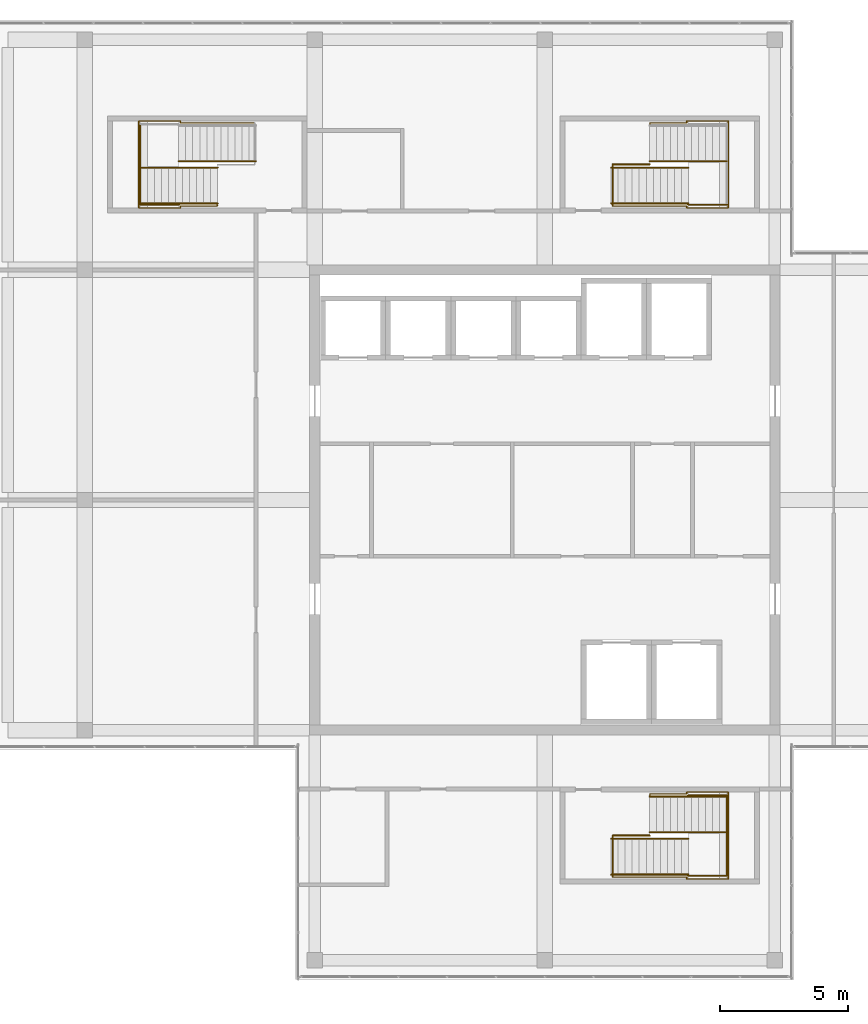
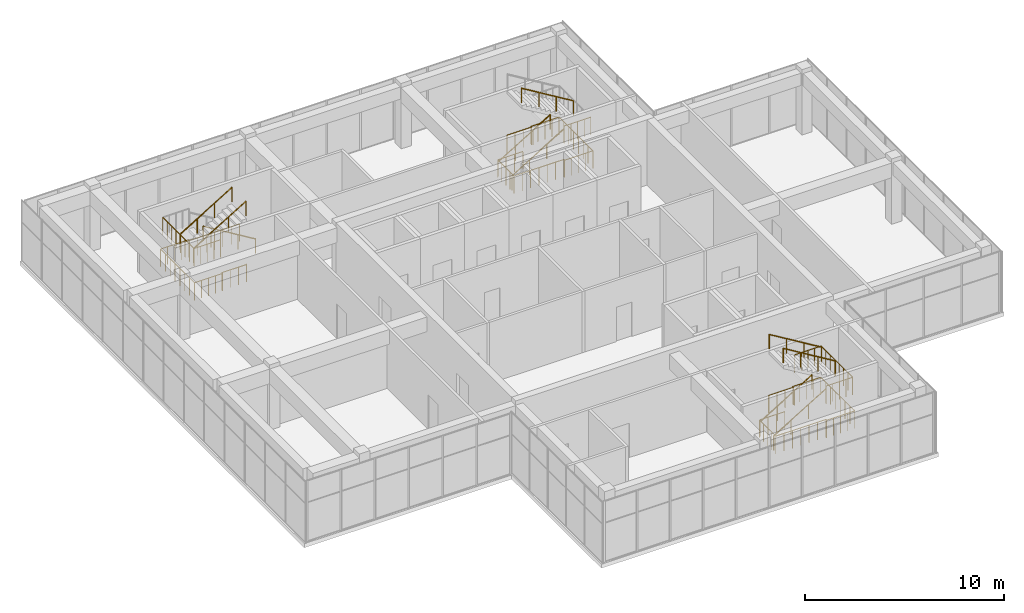
# One storey, part 34 of 35: 21 railings.
"""IFC4 building model written with IfcOpenShell, lengths in metres."""

from ifc_helpers import new_model, si_unit, direction, frame, origin, origin_2d, place, context, subcontext, project, spatial, circle, extrude, material, type_object, element, save


model = new_model("IFC4")

# Units and contexts
model_context = context("Model", 3, precision=1e-05, world=origin(), true_north=direction((0.0, 1.0)))
body_context = subcontext(model_context, "Body", "Model", "MODEL_VIEW")
ifc_project = project(units=[si_unit("LENGTHUNIT", "METRE"), si_unit("AREAUNIT", "SQUARE_METRE"), si_unit("VOLUMEUNIT", "CUBIC_METRE"), si_unit("PLANEANGLEUNIT", "RADIAN"), si_unit("MASSUNIT", "GRAM", prefix="KILO")], contexts=[model_context])

# Site, building, storey
site_placement = place(None, origin())
site = spatial("IfcSite", under=ifc_project, at=site_placement, CompositionType="ELEMENT")
building_placement = place(site_placement, origin())
building = spatial("IfcBuilding", under=site, at=building_placement, Name="Tuart Plaza Theatre", CompositionType="ELEMENT")
storey_placement = place(building_placement, frame((0.0, 0.0, 45.5)))
storey = spatial("IfcBuildingStorey", under=building, at=storey_placement, Name="L11", CompositionType="ELEMENT", Elevation=45.5)

# Railings
ifc_material_1 = material(Name="Steel Grade C350L0", Category="steel")
railing_type_1 = type_object("IfcRailingType", Name="RAILING Guard 1100", PredefinedType="GUARDRAIL", material=ifc_material_1)
railing_1_placement = place(storey_placement, frame((134.655029296875, 60.875, 0.0)))
element("IfcRailing", 1, at=railing_1_placement, inside=storey, type_object=railing_type_1, Name="GR249", PredefinedType="GUARDRAIL", context=body_context, shape_type="SweptSolid", body=[
    extrude(circle(Radius=0.02490234375, at=origin_2d()), frame((0.0, 0.0, 1.0751953125), z_axis=(1.0, 0.0, 0.0), x_axis=(0.0, 1.0, 0.0)), (0.0, 0.0, 1.0), 1.455078125),
    extrude(circle(Radius=0.02001953125, at=origin_2d()), origin(), (0.0, 0.0, 1.0), 1.050048828125),
    extrude(circle(Radius=0.02001953125, at=origin_2d()), frame((0.485107421875, 0.0, 0.0)), (0.0, 0.0, 1.0), 1.050048828125),
    extrude(circle(Radius=0.02001953125, at=origin_2d()), frame((0.969970703125, 0.0, 0.0)), (0.0, 0.0, 1.0), 1.050048828125),
    extrude(circle(Radius=0.02001953125, at=origin_2d()), frame((1.455078125, 0.0, 0.0)), (0.0, 0.0, 1.0), 1.050048828125),
])
railing_2_placement = place(storey_placement, frame((136.114990234375, 62.455078125, 0.0)))
element("IfcRailing", 2, at=railing_2_placement, inside=storey, type_object=railing_type_1, Name="GR250", PredefinedType="GUARDRAIL", context=body_context, shape_type="SweptSolid", body=[
    extrude(circle(Radius=0.02490234375, at=origin_2d()), frame((0.0, 0.0, 1.0751953125), z_axis=(0.0, 1.0, 0.0), x_axis=(-1.0, 0.0, 0.0)), (0.0, 0.0, 1.0), 0.044921875),
    extrude(circle(Radius=0.02490234375, at=origin_2d()), frame((0.0, 0.044921875, 1.0751953125), z_axis=(1.0, 0.0, 0.0), x_axis=(0.0, 1.0, 0.0)), (0.0, 0.0, 1.0), 1.43505859375),
    extrude(circle(Radius=0.02490234375, at=origin_2d()), frame((1.43505859375, 0.044921875, 1.0751953125), z_axis=(0.0, 1.0, 0.0), x_axis=(-1.0, 0.0, 0.0)), (0.0, 0.0, 1.0), 0.074951171875),
    extrude(circle(Radius=0.02490234375, at=origin_2d()), frame((1.43505859375, 0.119873046875, 1.0751953125), z_axis=(1.0, 0.0, 0.0), x_axis=(0.0, 1.0, 0.0)), (0.0, 0.0, 1.0), 1.6298828125),
    extrude(circle(Radius=0.02490234375, at=origin_2d()), frame((3.06494140625, 0.119873046875, 1.0751953125), z_axis=(0.0, -1.0, 0.0), x_axis=(1.0, 0.0, 0.0)), (0.0, 0.0, 1.0), 3.39990234375),
    extrude(circle(Radius=0.02490234375, at=origin_2d()), frame((3.06494140625, -3.280029296875, 1.0751953125), z_axis=(-1.0, 0.0, 0.0), x_axis=(0.0, -1.0, 0.0)), (0.0, 0.0, 1.0), 1.6298828125),
    extrude(circle(Radius=0.02490234375, at=origin_2d()), frame((1.43505859375, -3.280029296875, 1.0751953125), z_axis=(0.0, 1.0, 0.0), x_axis=(-1.0, 0.0, 0.0)), (0.0, 0.0, 1.0), 0.074951171875),
    extrude(circle(Radius=0.02490234375, at=origin_2d()), frame((1.43505859375, -3.205078125, 1.0751953125), z_axis=(-1.0, 0.0, 0.0), x_axis=(0.0, -1.0, 0.0)), (0.0, 0.0, 1.0), 2.89501953125),
    extrude(circle(Radius=0.02490234375, at=origin_2d()), frame((-1.4599609375, -3.205078125, 1.0751953125), z_axis=(0.0, 1.0, 0.0), x_axis=(-1.0, 0.0, 0.0)), (0.0, 0.0, 1.0), 1.625),
    extrude(circle(Radius=0.02001953125, at=origin_2d()), origin(), (0.0, 0.0, 1.0), 1.050048828125),
    extrude(circle(Radius=0.02001953125, at=origin_2d()), frame((0.0, 0.044921875, 0.0)), (0.0, 0.0, 1.0), 1.050048828125),
    extrude(circle(Radius=0.02001953125, at=origin_2d()), frame((0.478271484375, 0.044921875, 0.0)), (0.0, 0.0, 1.0), 1.050048828125),
    extrude(circle(Radius=0.02001953125, at=origin_2d()), frame((0.956787109375, 0.044921875, 0.0)), (0.0, 0.0, 1.0), 1.050048828125),
    extrude(circle(Radius=0.02001953125, at=origin_2d()), frame((1.43505859375, 0.044921875, 0.0)), (0.0, 0.0, 1.0), 1.050048828125),
    extrude(circle(Radius=0.02001953125, at=origin_2d()), frame((1.43505859375, 0.119873046875, 0.0)), (0.0, 0.0, 1.0), 1.050048828125),
    extrude(circle(Radius=0.02001953125, at=origin_2d()), frame((1.842529296875, 0.119873046875, 0.0)), (0.0, 0.0, 1.0), 1.050048828125),
    extrude(circle(Radius=0.02001953125, at=origin_2d()), frame((2.25, 0.119873046875, 0.0)), (0.0, 0.0, 1.0), 1.050048828125),
    extrude(circle(Radius=0.02001953125, at=origin_2d()), frame((2.657470703125, 0.119873046875, 0.0)), (0.0, 0.0, 1.0), 1.050048828125),
    extrude(circle(Radius=0.02001953125, at=origin_2d()), frame((3.06494140625, 0.119873046875, 0.0)), (0.0, 0.0, 1.0), 1.050048828125),
    extrude(circle(Radius=0.02001953125, at=origin_2d()), frame((3.06494140625, -0.36572265625, 0.0)), (0.0, 0.0, 1.0), 1.050048828125),
    extrude(circle(Radius=0.02001953125, at=origin_2d()), frame((3.06494140625, -0.8515625, 0.0)), (0.0, 0.0, 1.0), 1.050048828125),
    extrude(circle(Radius=0.02001953125, at=origin_2d()), frame((3.06494140625, -1.337158203125, 0.0)), (0.0, 0.0, 1.0), 1.050048828125),
    extrude(circle(Radius=0.02001953125, at=origin_2d()), frame((3.06494140625, -1.822998046875, 0.0)), (0.0, 0.0, 1.0), 1.050048828125),
    extrude(circle(Radius=0.02001953125, at=origin_2d()), frame((3.06494140625, -2.30859375, 0.0)), (0.0, 0.0, 1.0), 1.050048828125),
    extrude(circle(Radius=0.02001953125, at=origin_2d()), frame((3.06494140625, -2.79443359375, 0.0)), (0.0, 0.0, 1.0), 1.050048828125),
    extrude(circle(Radius=0.02001953125, at=origin_2d()), frame((3.06494140625, -3.280029296875, 0.0)), (0.0, 0.0, 1.0), 1.050048828125),
    extrude(circle(Radius=0.02001953125, at=origin_2d()), frame((2.657470703125, -3.280029296875, 0.0)), (0.0, 0.0, 1.0), 1.050048828125),
    extrude(circle(Radius=0.02001953125, at=origin_2d()), frame((2.25, -3.280029296875, 0.0)), (0.0, 0.0, 1.0), 1.050048828125),
    extrude(circle(Radius=0.02001953125, at=origin_2d()), frame((1.842529296875, -3.280029296875, 0.0)), (0.0, 0.0, 1.0), 1.050048828125),
    extrude(circle(Radius=0.02001953125, at=origin_2d()), frame((1.43505859375, -3.280029296875, 0.0)), (0.0, 0.0, 1.0), 1.050048828125),
    extrude(circle(Radius=0.02001953125, at=origin_2d()), frame((1.43505859375, -3.205078125, 0.0)), (0.0, 0.0, 1.0), 1.050048828125),
    extrude(circle(Radius=0.02001953125, at=origin_2d()), frame((0.95263671875, -3.205078125, 0.0)), (0.0, 0.0, 1.0), 1.050048828125),
    extrude(circle(Radius=0.02001953125, at=origin_2d()), frame((0.469970703125, -3.205078125, 0.0)), (0.0, 0.0, 1.0), 1.050048828125),
    extrude(circle(Radius=0.02001953125, at=origin_2d()), frame((-0.012451171875, -3.205078125, 0.0)), (0.0, 0.0, 1.0), 1.050048828125),
    extrude(circle(Radius=0.02001953125, at=origin_2d()), frame((-0.494873046875, -3.205078125, 0.0)), (0.0, 0.0, 1.0), 1.050048828125),
    extrude(circle(Radius=0.02001953125, at=origin_2d()), frame((-0.9775390625, -3.205078125, 0.0)), (0.0, 0.0, 1.0), 1.050048828125),
    extrude(circle(Radius=0.02001953125, at=origin_2d()), frame((-1.4599609375, -3.205078125, 0.0)), (0.0, 0.0, 1.0), 1.050048828125),
    extrude(circle(Radius=0.02001953125, at=origin_2d()), frame((-1.4599609375, -2.798828125, 0.0)), (0.0, 0.0, 1.0), 1.050048828125),
    extrude(circle(Radius=0.02001953125, at=origin_2d()), frame((-1.4599609375, -2.392578125, 0.0)), (0.0, 0.0, 1.0), 1.050048828125),
    extrude(circle(Radius=0.02001953125, at=origin_2d()), frame((-1.4599609375, -1.986328125, 0.0)), (0.0, 0.0, 1.0), 1.050048828125),
    extrude(circle(Radius=0.02001953125, at=origin_2d()), frame((-1.4599609375, -1.580078125, 0.0)), (0.0, 0.0, 1.0), 1.050048828125),
])
railing_3_placement = place(storey_placement, frame((137.60009765625, 59.300048828125, 2.0)))
element("IfcRailing", 3, at=railing_3_placement, inside=storey, type_object=railing_type_1, Name="GR256", PredefinedType="GUARDRAIL", context=body_context, shape_type="SweptSolid", body=[
    extrude(circle(Radius=0.02490234375, at=origin_2d()), frame((0.0, 0.0, 1.0751953125), z_axis=(1.0, 0.0, 0.0), x_axis=(0.0, 1.0, 0.0)), (0.0, 0.0, 1.0), 1.52978515625),
    extrude(circle(Radius=0.02001953125, at=origin_2d()), origin(), (0.0, 0.0, 1.0), 1.050048828125),
    extrude(circle(Radius=0.02001953125, at=origin_2d()), frame((0.38232421875, 0.0, 0.0)), (0.0, 0.0, 1.0), 1.050048828125),
    extrude(circle(Radius=0.02001953125, at=origin_2d()), frame((0.764892578125, 0.0, 0.0)), (0.0, 0.0, 1.0), 1.050048828125),
    extrude(circle(Radius=0.02001953125, at=origin_2d()), frame((1.1474609375, 0.0, 0.0)), (0.0, 0.0, 1.0), 1.050048828125),
    extrude(circle(Radius=0.02001953125, at=origin_2d()), frame((1.52978515625, 0.0, 0.0)), (0.0, 0.0, 1.0), 1.050048828125),
])
railing_4_placement = place(storey_placement, frame((139.1298828125, 59.300048828125, 2.0)))
element("IfcRailing", 4, at=railing_4_placement, inside=storey, type_object=railing_type_1, Name="GR257", PredefinedType="GUARDRAIL", context=body_context, shape_type="SweptSolid", body=[
    extrude(circle(Radius=0.02490234375, at=origin_2d()), frame((0.0, 0.0, 1.0751953125), z_axis=(0.0, 1.0, 0.0), x_axis=(-1.0, 0.0, 0.0)), (0.0, 0.0, 1.0), 3.14990234375),
    extrude(circle(Radius=0.02001953125, at=origin_2d()), origin(), (0.0, 0.0, 1.0), 1.050048828125),
    extrude(circle(Radius=0.02001953125, at=origin_2d()), frame((0.0, 0.449951171875, 0.0)), (0.0, 0.0, 1.0), 1.050048828125),
    extrude(circle(Radius=0.02001953125, at=origin_2d()), frame((0.0, 0.89990234375, 0.0)), (0.0, 0.0, 1.0), 1.050048828125),
    extrude(circle(Radius=0.02001953125, at=origin_2d()), frame((0.0, 1.349853515625, 0.0)), (0.0, 0.0, 1.0), 1.050048828125),
    extrude(circle(Radius=0.02001953125, at=origin_2d()), frame((0.0, 1.800048828125, 0.0)), (0.0, 0.0, 1.0), 1.050048828125),
    extrude(circle(Radius=0.02001953125, at=origin_2d()), frame((0.0, 2.25, 0.0)), (0.0, 0.0, 1.0), 1.050048828125),
    extrude(circle(Radius=0.02001953125, at=origin_2d()), frame((0.0, 2.699951171875, 0.0)), (0.0, 0.0, 1.0), 1.050048828125),
    extrude(circle(Radius=0.02001953125, at=origin_2d()), frame((0.0, 3.14990234375, 0.0)), (0.0, 0.0, 1.0), 1.050048828125),
])
railing_5_placement = place(storey_placement, frame((139.1298828125, 62.449951171875, 2.0)))
element("IfcRailing", 5, at=railing_5_placement, inside=storey, type_object=railing_type_1, Name="GR258", PredefinedType="GUARDRAIL", context=body_context, shape_type="SweptSolid", body=[
    extrude(circle(Radius=0.02490234375, at=origin_2d()), frame((0.0, 0.0, 1.0751953125), z_axis=(-1.0, 0.0, 0.0), x_axis=(0.0, -1.0, 0.0)), (0.0, 0.0, 1.0), 1.52978515625),
    extrude(circle(Radius=0.02001953125, at=origin_2d()), origin(), (0.0, 0.0, 1.0), 1.050048828125),
    extrude(circle(Radius=0.02001953125, at=origin_2d()), frame((-0.38232421875, 0.0, 0.0)), (0.0, 0.0, 1.0), 1.050048828125),
    extrude(circle(Radius=0.02001953125, at=origin_2d()), frame((-0.764892578125, 0.0, 0.0)), (0.0, 0.0, 1.0), 1.050048828125),
    extrude(circle(Radius=0.02001953125, at=origin_2d()), frame((-1.1474609375, 0.0, 0.0)), (0.0, 0.0, 1.0), 1.050048828125),
    extrude(circle(Radius=0.02001953125, at=origin_2d()), frame((-1.52978515625, 0.0, 0.0)), (0.0, 0.0, 1.0), 1.050048828125),
])
railing_6_placement = place(storey_placement, frame((134.655029296875, 87.125, 0.0)))
element("IfcRailing", 6, at=railing_6_placement, inside=storey, type_object=railing_type_1, Name="GR328", PredefinedType="GUARDRAIL", context=body_context, shape_type="SweptSolid", body=[
    extrude(circle(Radius=0.02490234375, at=origin_2d()), frame((0.0, 0.0, 1.0751953125), z_axis=(1.0, 0.0, 0.0), x_axis=(0.0, 1.0, 0.0)), (0.0, 0.0, 1.0), 1.455078125),
    extrude(circle(Radius=0.02001953125, at=origin_2d()), origin(), (0.0, 0.0, 1.0), 1.050048828125),
    extrude(circle(Radius=0.02001953125, at=origin_2d()), frame((0.485107421875, 0.0, 0.0)), (0.0, 0.0, 1.0), 1.050048828125),
    extrude(circle(Radius=0.02001953125, at=origin_2d()), frame((0.969970703125, 0.0, 0.0)), (0.0, 0.0, 1.0), 1.050048828125),
    extrude(circle(Radius=0.02001953125, at=origin_2d()), frame((1.455078125, 0.0, 0.0)), (0.0, 0.0, 1.0), 1.050048828125),
])
railing_7_placement = place(storey_placement, frame((136.114990234375, 88.705078125, 0.0)))
element("IfcRailing", 7, at=railing_7_placement, inside=storey, type_object=railing_type_1, Name="GR329", PredefinedType="GUARDRAIL", context=body_context, shape_type="SweptSolid", body=[
    extrude(circle(Radius=0.02490234375, at=origin_2d()), frame((0.0, 0.0, 1.0751953125), z_axis=(0.0, 1.0, 0.0), x_axis=(-1.0, 0.0, 0.0)), (0.0, 0.0, 1.0), 0.044921875),
    extrude(circle(Radius=0.02490234375, at=origin_2d()), frame((0.0, 0.044921875, 1.0751953125), z_axis=(1.0, 0.0, 0.0), x_axis=(0.0, 1.0, 0.0)), (0.0, 0.0, 1.0), 1.43505859375),
    extrude(circle(Radius=0.02490234375, at=origin_2d()), frame((1.43505859375, 0.044921875, 1.0751953125), z_axis=(0.0, 1.0, 0.0), x_axis=(-1.0, 0.0, 0.0)), (0.0, 0.0, 1.0), 0.074951171875),
    extrude(circle(Radius=0.02490234375, at=origin_2d()), frame((1.43505859375, 0.119873046875, 1.0751953125), z_axis=(1.0, 0.0, 0.0), x_axis=(0.0, 1.0, 0.0)), (0.0, 0.0, 1.0), 1.6298828125),
    extrude(circle(Radius=0.02490234375, at=origin_2d()), frame((3.06494140625, 0.119873046875, 1.0751953125), z_axis=(0.0, -1.0, 0.0), x_axis=(1.0, 0.0, 0.0)), (0.0, 0.0, 1.0), 3.39990234375),
    extrude(circle(Radius=0.02490234375, at=origin_2d()), frame((3.06494140625, -3.280029296875, 1.0751953125), z_axis=(-1.0, 0.0, 0.0), x_axis=(0.0, -1.0, 0.0)), (0.0, 0.0, 1.0), 1.6298828125),
    extrude(circle(Radius=0.02490234375, at=origin_2d()), frame((1.43505859375, -3.280029296875, 1.0751953125), z_axis=(0.0, 1.0, 0.0), x_axis=(-1.0, 0.0, 0.0)), (0.0, 0.0, 1.0), 0.074951171875),
    extrude(circle(Radius=0.02490234375, at=origin_2d()), frame((1.43505859375, -3.205078125, 1.0751953125), z_axis=(-1.0, 0.0, 0.0), x_axis=(0.0, -1.0, 0.0)), (0.0, 0.0, 1.0), 2.89501953125),
    extrude(circle(Radius=0.02490234375, at=origin_2d()), frame((-1.4599609375, -3.205078125, 1.0751953125), z_axis=(0.0, 1.0, 0.0), x_axis=(-1.0, 0.0, 0.0)), (0.0, 0.0, 1.0), 1.625),
    extrude(circle(Radius=0.02001953125, at=origin_2d()), origin(), (0.0, 0.0, 1.0), 1.050048828125),
    extrude(circle(Radius=0.02001953125, at=origin_2d()), frame((0.0, 0.044921875, 0.0)), (0.0, 0.0, 1.0), 1.050048828125),
    extrude(circle(Radius=0.02001953125, at=origin_2d()), frame((0.478271484375, 0.044921875, 0.0)), (0.0, 0.0, 1.0), 1.050048828125),
    extrude(circle(Radius=0.02001953125, at=origin_2d()), frame((0.956787109375, 0.044921875, 0.0)), (0.0, 0.0, 1.0), 1.050048828125),
    extrude(circle(Radius=0.02001953125, at=origin_2d()), frame((1.43505859375, 0.044921875, 0.0)), (0.0, 0.0, 1.0), 1.050048828125),
    extrude(circle(Radius=0.02001953125, at=origin_2d()), frame((1.43505859375, 0.119873046875, 0.0)), (0.0, 0.0, 1.0), 1.050048828125),
    extrude(circle(Radius=0.02001953125, at=origin_2d()), frame((1.842529296875, 0.119873046875, 0.0)), (0.0, 0.0, 1.0), 1.050048828125),
    extrude(circle(Radius=0.02001953125, at=origin_2d()), frame((2.25, 0.119873046875, 0.0)), (0.0, 0.0, 1.0), 1.050048828125),
    extrude(circle(Radius=0.02001953125, at=origin_2d()), frame((2.657470703125, 0.119873046875, 0.0)), (0.0, 0.0, 1.0), 1.050048828125),
    extrude(circle(Radius=0.02001953125, at=origin_2d()), frame((3.06494140625, 0.119873046875, 0.0)), (0.0, 0.0, 1.0), 1.050048828125),
    extrude(circle(Radius=0.02001953125, at=origin_2d()), frame((3.06494140625, -0.36572265625, 0.0)), (0.0, 0.0, 1.0), 1.050048828125),
    extrude(circle(Radius=0.02001953125, at=origin_2d()), frame((3.06494140625, -0.8515625, 0.0)), (0.0, 0.0, 1.0), 1.050048828125),
    extrude(circle(Radius=0.02001953125, at=origin_2d()), frame((3.06494140625, -1.337158203125, 0.0)), (0.0, 0.0, 1.0), 1.050048828125),
    extrude(circle(Radius=0.02001953125, at=origin_2d()), frame((3.06494140625, -1.822998046875, 0.0)), (0.0, 0.0, 1.0), 1.050048828125),
    extrude(circle(Radius=0.02001953125, at=origin_2d()), frame((3.06494140625, -2.30859375, 0.0)), (0.0, 0.0, 1.0), 1.050048828125),
    extrude(circle(Radius=0.02001953125, at=origin_2d()), frame((3.06494140625, -2.79443359375, 0.0)), (0.0, 0.0, 1.0), 1.050048828125),
    extrude(circle(Radius=0.02001953125, at=origin_2d()), frame((3.06494140625, -3.280029296875, 0.0)), (0.0, 0.0, 1.0), 1.050048828125),
    extrude(circle(Radius=0.02001953125, at=origin_2d()), frame((2.657470703125, -3.280029296875, 0.0)), (0.0, 0.0, 1.0), 1.050048828125),
    extrude(circle(Radius=0.02001953125, at=origin_2d()), frame((2.25, -3.280029296875, 0.0)), (0.0, 0.0, 1.0), 1.050048828125),
    extrude(circle(Radius=0.02001953125, at=origin_2d()), frame((1.842529296875, -3.280029296875, 0.0)), (0.0, 0.0, 1.0), 1.050048828125),
    extrude(circle(Radius=0.02001953125, at=origin_2d()), frame((1.43505859375, -3.280029296875, 0.0)), (0.0, 0.0, 1.0), 1.050048828125),
    extrude(circle(Radius=0.02001953125, at=origin_2d()), frame((1.43505859375, -3.205078125, 0.0)), (0.0, 0.0, 1.0), 1.050048828125),
    extrude(circle(Radius=0.02001953125, at=origin_2d()), frame((0.95263671875, -3.205078125, 0.0)), (0.0, 0.0, 1.0), 1.050048828125),
    extrude(circle(Radius=0.02001953125, at=origin_2d()), frame((0.469970703125, -3.205078125, 0.0)), (0.0, 0.0, 1.0), 1.050048828125),
    extrude(circle(Radius=0.02001953125, at=origin_2d()), frame((-0.012451171875, -3.205078125, 0.0)), (0.0, 0.0, 1.0), 1.050048828125),
    extrude(circle(Radius=0.02001953125, at=origin_2d()), frame((-0.494873046875, -3.205078125, 0.0)), (0.0, 0.0, 1.0), 1.050048828125),
    extrude(circle(Radius=0.02001953125, at=origin_2d()), frame((-0.9775390625, -3.205078125, 0.0)), (0.0, 0.0, 1.0), 1.050048828125),
    extrude(circle(Radius=0.02001953125, at=origin_2d()), frame((-1.4599609375, -3.205078125, 0.0)), (0.0, 0.0, 1.0), 1.050048828125),
    extrude(circle(Radius=0.02001953125, at=origin_2d()), frame((-1.4599609375, -2.798828125, 0.0)), (0.0, 0.0, 1.0), 1.050048828125),
    extrude(circle(Radius=0.02001953125, at=origin_2d()), frame((-1.4599609375, -2.392578125, 0.0)), (0.0, 0.0, 1.0), 1.050048828125),
    extrude(circle(Radius=0.02001953125, at=origin_2d()), frame((-1.4599609375, -1.986328125, 0.0)), (0.0, 0.0, 1.0), 1.050048828125),
    extrude(circle(Radius=0.02001953125, at=origin_2d()), frame((-1.4599609375, -1.580078125, 0.0)), (0.0, 0.0, 1.0), 1.050048828125),
])
railing_8_placement = place(storey_placement, frame((137.60009765625, 85.550048828125, 2.0)))
element("IfcRailing", 8, at=railing_8_placement, inside=storey, type_object=railing_type_1, Name="GR335", PredefinedType="GUARDRAIL", context=body_context, shape_type="SweptSolid", body=[
    extrude(circle(Radius=0.02490234375, at=origin_2d()), frame((0.0, 0.0, 1.0751953125), z_axis=(1.0, 0.0, 0.0), x_axis=(0.0, 1.0, 0.0)), (0.0, 0.0, 1.0), 1.52978515625),
    extrude(circle(Radius=0.02001953125, at=origin_2d()), origin(), (0.0, 0.0, 1.0), 1.050048828125),
    extrude(circle(Radius=0.02001953125, at=origin_2d()), frame((0.38232421875, 0.0, 0.0)), (0.0, 0.0, 1.0), 1.050048828125),
    extrude(circle(Radius=0.02001953125, at=origin_2d()), frame((0.764892578125, 0.0, 0.0)), (0.0, 0.0, 1.0), 1.050048828125),
    extrude(circle(Radius=0.02001953125, at=origin_2d()), frame((1.1474609375, 0.0, 0.0)), (0.0, 0.0, 1.0), 1.050048828125),
    extrude(circle(Radius=0.02001953125, at=origin_2d()), frame((1.52978515625, 0.0, 0.0)), (0.0, 0.0, 1.0), 1.050048828125),
])
railing_9_placement = place(storey_placement, frame((119.18505859375, 85.544921875, 0.0)))
element("IfcRailing", 9, at=railing_9_placement, inside=storey, type_object=railing_type_1, Name="GR408", PredefinedType="GUARDRAIL", context=body_context, shape_type="SweptSolid", body=[
    extrude(circle(Radius=0.02490234375, at=origin_2d()), frame((0.0, 0.0, 1.0751953125), z_axis=(0.0, -1.0, 0.0), x_axis=(1.0, 0.0, 0.0)), (0.0, 0.0, 1.0), 0.044921875),
    extrude(circle(Radius=0.02490234375, at=origin_2d()), frame((0.0, -0.044921875, 1.0751953125), z_axis=(-1.0, 0.0, 0.0), x_axis=(0.0, -1.0, 0.0)), (0.0, 0.0, 1.0), 1.43505859375),
    extrude(circle(Radius=0.02490234375, at=origin_2d()), frame((-1.43505859375, -0.044921875, 1.0751953125), z_axis=(0.0, -1.0, 0.0), x_axis=(1.0, 0.0, 0.0)), (0.0, 0.0, 1.0), 0.074951171875),
    extrude(circle(Radius=0.02490234375, at=origin_2d()), frame((-1.43505859375, -0.119873046875, 1.0751953125), z_axis=(-1.0, 0.0, 0.0), x_axis=(0.0, -1.0, 0.0)), (0.0, 0.0, 1.0), 1.6298828125),
    extrude(circle(Radius=0.02490234375, at=origin_2d()), frame((-3.06494140625, -0.119873046875, 1.0751953125), z_axis=(0.0, 1.0, 0.0), x_axis=(-1.0, 0.0, 0.0)), (0.0, 0.0, 1.0), 3.39990234375),
    extrude(circle(Radius=0.02490234375, at=origin_2d()), frame((-3.06494140625, 3.280029296875, 1.0751953125), z_axis=(1.0, 0.0, 0.0), x_axis=(0.0, 1.0, 0.0)), (0.0, 0.0, 1.0), 1.6298828125),
    extrude(circle(Radius=0.02490234375, at=origin_2d()), frame((-1.43505859375, 3.280029296875, 1.0751953125), z_axis=(0.0, -1.0, 0.0), x_axis=(1.0, 0.0, 0.0)), (0.0, 0.0, 1.0), 0.074951171875),
    extrude(circle(Radius=0.02490234375, at=origin_2d()), frame((-1.43505859375, 3.205078125, 1.0751953125), z_axis=(1.0, 0.0, 0.0), x_axis=(0.0, 1.0, 0.0)), (0.0, 0.0, 1.0), 2.89501953125),
    extrude(circle(Radius=0.02001953125, at=origin_2d()), origin(), (0.0, 0.0, 1.0), 1.050048828125),
    extrude(circle(Radius=0.02001953125, at=origin_2d()), frame((0.0, -0.044921875, 0.0)), (0.0, 0.0, 1.0), 1.050048828125),
    extrude(circle(Radius=0.02001953125, at=origin_2d()), frame((-0.478271484375, -0.044921875, 0.0)), (0.0, 0.0, 1.0), 1.050048828125),
    extrude(circle(Radius=0.02001953125, at=origin_2d()), frame((-0.956787109375, -0.044921875, 0.0)), (0.0, 0.0, 1.0), 1.050048828125),
    extrude(circle(Radius=0.02001953125, at=origin_2d()), frame((-1.43505859375, -0.044921875, 0.0)), (0.0, 0.0, 1.0), 1.050048828125),
    extrude(circle(Radius=0.02001953125, at=origin_2d()), frame((-1.43505859375, -0.119873046875, 0.0)), (0.0, 0.0, 1.0), 1.050048828125),
    extrude(circle(Radius=0.02001953125, at=origin_2d()), frame((-1.842529296875, -0.119873046875, 0.0)), (0.0, 0.0, 1.0), 1.050048828125),
    extrude(circle(Radius=0.02001953125, at=origin_2d()), frame((-2.25, -0.119873046875, 0.0)), (0.0, 0.0, 1.0), 1.050048828125),
    extrude(circle(Radius=0.02001953125, at=origin_2d()), frame((-2.657470703125, -0.119873046875, 0.0)), (0.0, 0.0, 1.0), 1.050048828125),
    extrude(circle(Radius=0.02001953125, at=origin_2d()), frame((-3.06494140625, -0.119873046875, 0.0)), (0.0, 0.0, 1.0), 1.050048828125),
    extrude(circle(Radius=0.02001953125, at=origin_2d()), frame((-3.06494140625, 0.36572265625, 0.0)), (0.0, 0.0, 1.0), 1.050048828125),
    extrude(circle(Radius=0.02001953125, at=origin_2d()), frame((-3.06494140625, 0.8515625, 0.0)), (0.0, 0.0, 1.0), 1.050048828125),
    extrude(circle(Radius=0.02001953125, at=origin_2d()), frame((-3.06494140625, 1.337158203125, 0.0)), (0.0, 0.0, 1.0), 1.050048828125),
    extrude(circle(Radius=0.02001953125, at=origin_2d()), frame((-3.06494140625, 1.822998046875, 0.0)), (0.0, 0.0, 1.0), 1.050048828125),
    extrude(circle(Radius=0.02001953125, at=origin_2d()), frame((-3.06494140625, 2.30859375, 0.0)), (0.0, 0.0, 1.0), 1.050048828125),
    extrude(circle(Radius=0.02001953125, at=origin_2d()), frame((-3.06494140625, 2.79443359375, 0.0)), (0.0, 0.0, 1.0), 1.050048828125),
    extrude(circle(Radius=0.02001953125, at=origin_2d()), frame((-3.06494140625, 3.280029296875, 0.0)), (0.0, 0.0, 1.0), 1.050048828125),
    extrude(circle(Radius=0.02001953125, at=origin_2d()), frame((-2.657470703125, 3.280029296875, 0.0)), (0.0, 0.0, 1.0), 1.050048828125),
    extrude(circle(Radius=0.02001953125, at=origin_2d()), frame((-2.25, 3.280029296875, 0.0)), (0.0, 0.0, 1.0), 1.050048828125),
    extrude(circle(Radius=0.02001953125, at=origin_2d()), frame((-1.842529296875, 3.280029296875, 0.0)), (0.0, 0.0, 1.0), 1.050048828125),
    extrude(circle(Radius=0.02001953125, at=origin_2d()), frame((-1.43505859375, 3.280029296875, 0.0)), (0.0, 0.0, 1.0), 1.050048828125),
    extrude(circle(Radius=0.02001953125, at=origin_2d()), frame((-1.43505859375, 3.205078125, 0.0)), (0.0, 0.0, 1.0), 1.050048828125),
    extrude(circle(Radius=0.02001953125, at=origin_2d()), frame((-0.95263671875, 3.205078125, 0.0)), (0.0, 0.0, 1.0), 1.050048828125),
    extrude(circle(Radius=0.02001953125, at=origin_2d()), frame((-0.469970703125, 3.205078125, 0.0)), (0.0, 0.0, 1.0), 1.050048828125),
    extrude(circle(Radius=0.02001953125, at=origin_2d()), frame((0.012451171875, 3.205078125, 0.0)), (0.0, 0.0, 1.0), 1.050048828125),
    extrude(circle(Radius=0.02001953125, at=origin_2d()), frame((0.494873046875, 3.205078125, 0.0)), (0.0, 0.0, 1.0), 1.050048828125),
    extrude(circle(Radius=0.02001953125, at=origin_2d()), frame((0.9775390625, 3.205078125, 0.0)), (0.0, 0.0, 1.0), 1.050048828125),
    extrude(circle(Radius=0.02001953125, at=origin_2d()), frame((1.4599609375, 3.205078125, 0.0)), (0.0, 0.0, 1.0), 1.050048828125),
])
railing_10_placement = place(storey_placement, frame((116.169921875, 88.699951171875, 2.0)))
element("IfcRailing", 10, at=railing_10_placement, inside=storey, type_object=railing_type_1, Name="GR415", PredefinedType="GUARDRAIL", context=body_context, shape_type="SweptSolid", body=[
    extrude(circle(Radius=0.02490234375, at=origin_2d()), frame((0.0, 0.0, 1.0751953125), z_axis=(0.0, -1.0, 0.0), x_axis=(1.0, 0.0, 0.0)), (0.0, 0.0, 1.0), 3.14990234375),
    extrude(circle(Radius=0.02001953125, at=origin_2d()), origin(), (0.0, 0.0, 1.0), 1.050048828125),
    extrude(circle(Radius=0.02001953125, at=origin_2d()), frame((0.0, -0.449951171875, 0.0)), (0.0, 0.0, 1.0), 1.050048828125),
    extrude(circle(Radius=0.02001953125, at=origin_2d()), frame((0.0, -0.89990234375, 0.0)), (0.0, 0.0, 1.0), 1.050048828125),
    extrude(circle(Radius=0.02001953125, at=origin_2d()), frame((0.0, -1.349853515625, 0.0)), (0.0, 0.0, 1.0), 1.050048828125),
    extrude(circle(Radius=0.02001953125, at=origin_2d()), frame((0.0, -1.800048828125, 0.0)), (0.0, 0.0, 1.0), 1.050048828125),
    extrude(circle(Radius=0.02001953125, at=origin_2d()), frame((0.0, -2.25, 0.0)), (0.0, 0.0, 1.0), 1.050048828125),
    extrude(circle(Radius=0.02001953125, at=origin_2d()), frame((0.0, -2.699951171875, 0.0)), (0.0, 0.0, 1.0), 1.050048828125),
    extrude(circle(Radius=0.02001953125, at=origin_2d()), frame((0.0, -3.14990234375, 0.0)), (0.0, 0.0, 1.0), 1.050048828125),
])
railing_11_placement = place(storey_placement, frame((116.169921875, 85.550048828125, 2.0)))
element("IfcRailing", 11, at=railing_11_placement, inside=storey, type_object=railing_type_1, Name="GR416", PredefinedType="GUARDRAIL", context=body_context, shape_type="SweptSolid", body=[
    extrude(circle(Radius=0.02490234375, at=origin_2d()), frame((0.0, 0.0, 1.0751953125), z_axis=(1.0, 0.0, 0.0), x_axis=(0.0, 1.0, 0.0)), (0.0, 0.0, 1.0), 1.530029296875),
    extrude(circle(Radius=0.02001953125, at=origin_2d()), origin(), (0.0, 0.0, 1.0), 1.050048828125),
    extrude(circle(Radius=0.02001953125, at=origin_2d()), frame((0.382568359375, 0.0, 0.0)), (0.0, 0.0, 1.0), 1.050048828125),
    extrude(circle(Radius=0.02001953125, at=origin_2d()), frame((0.76513671875, 0.0, 0.0)), (0.0, 0.0, 1.0), 1.050048828125),
    extrude(circle(Radius=0.02001953125, at=origin_2d()), frame((1.1474609375, 0.0, 0.0)), (0.0, 0.0, 1.0), 1.050048828125),
    extrude(circle(Radius=0.02001953125, at=origin_2d()), frame((1.530029296875, 0.0, 0.0)), (0.0, 0.0, 1.0), 1.050048828125),
])
ifc_material_2 = material(Name="Steel Grade C350L0", Category="steel")
railing_type_2 = type_object("IfcRailingType", Name="RAILING Handrail 900", PredefinedType="HANDRAIL", material=ifc_material_2)
for number, where, name in (
    (12, (134.594970703125, 60.75, 0.166748046875), "HR159"),
    (13, (134.594970703125, 59.35009765625, 0.166748046875), "HR160"),
):
    element("IfcRailing", number, at=place(storey_placement, frame(where)), inside=storey, type_object=railing_type_2, Name=name, PredefinedType="HANDRAIL", context=body_context, shape_type="SweptSolid", body=[
        extrude(circle(Radius=0.0224609375, at=origin_2d()), frame((0.0, 0.0, 0.87744140625), z_axis=(0.855219153138, 0.0, 0.518266533848), x_axis=(0.0, 1.0, 0.0)), (0.0, 0.0, 1.0), 3.537353515625),
        extrude(circle(Radius=0.01513671875, at=origin_2d()), origin(), (0.0, 0.0, 1.0), 0.85498046875),
        extrude(circle(Radius=0.01513671875, at=origin_2d()), frame((1.00830078125, 0.0, 0.611083984375)), (0.0, 0.0, 1.0), 0.85498046875),
        extrude(circle(Radius=0.01513671875, at=origin_2d()), frame((2.016845703125, 0.0, 1.22216796875)), (0.0, 0.0, 1.0), 0.85498046875),
        extrude(circle(Radius=0.01513671875, at=origin_2d()), frame((3.025146484375, 0.0, 1.833251953125)), (0.0, 0.0, 1.0), 0.85498046875),
    ])
for number, where, name in (
    (14, (139.1201171875, 61.0, 2.166748046875), "HR161"),
    (15, (139.1201171875, 62.39990234375, 2.166748046875), "HR162"),
):
    element("IfcRailing", number, at=place(storey_placement, frame(where)), inside=storey, type_object=railing_type_2, Name=name, PredefinedType="HANDRAIL", context=body_context, shape_type="SweptSolid", body=[
        extrude(circle(Radius=0.0224609375, at=origin_2d()), frame((0.0, 0.0, 0.87744140625), z_axis=(-0.855219153138, 0.0, 0.518266533848), x_axis=(0.0, -1.0, 0.0)), (0.0, 0.0, 1.0), 3.537353515625),
        extrude(circle(Radius=0.01513671875, at=origin_2d()), origin(), (0.0, 0.0, 1.0), 0.85498046875),
        extrude(circle(Radius=0.01513671875, at=origin_2d()), frame((-1.00830078125, 0.0, 0.611083984375)), (0.0, 0.0, 1.0), 0.85498046875),
        extrude(circle(Radius=0.01513671875, at=origin_2d()), frame((-2.016845703125, 0.0, 1.22216796875)), (0.0, 0.0, 1.0), 0.85498046875),
        extrude(circle(Radius=0.01513671875, at=origin_2d()), frame((-3.025146484375, 0.0, 1.833251953125)), (0.0, 0.0, 1.0), 0.85498046875),
    ])
for number, where, name in (
    (16, (134.594970703125, 87.0, 0.166748046875), "HR223"),
    (17, (134.594970703125, 85.60009765625, 0.166748046875), "HR224"),
):
    element("IfcRailing", number, at=place(storey_placement, frame(where)), inside=storey, type_object=railing_type_2, Name=name, PredefinedType="HANDRAIL", context=body_context, shape_type="SweptSolid", body=[
        extrude(circle(Radius=0.0224609375, at=origin_2d()), frame((0.0, 0.0, 0.87744140625), z_axis=(0.855219153138, 0.0, 0.518266533848), x_axis=(0.0, 1.0, 0.0)), (0.0, 0.0, 1.0), 3.537353515625),
        extrude(circle(Radius=0.01513671875, at=origin_2d()), origin(), (0.0, 0.0, 1.0), 0.85498046875),
        extrude(circle(Radius=0.01513671875, at=origin_2d()), frame((1.00830078125, 0.0, 0.611083984375)), (0.0, 0.0, 1.0), 0.85498046875),
        extrude(circle(Radius=0.01513671875, at=origin_2d()), frame((2.016845703125, 0.0, 1.22216796875)), (0.0, 0.0, 1.0), 0.85498046875),
        extrude(circle(Radius=0.01513671875, at=origin_2d()), frame((3.025146484375, 0.0, 1.833251953125)), (0.0, 0.0, 1.0), 0.85498046875),
    ])
for number, where, name in (
    (18, (139.1201171875, 87.25, 2.166748046875), "HR225"),
    (19, (120.705078125, 87.25, 0.166748046875), "HR287"),
):
    element("IfcRailing", number, at=place(storey_placement, frame(where)), inside=storey, type_object=railing_type_2, Name=name, PredefinedType="HANDRAIL", context=body_context, shape_type="SweptSolid", body=[
        extrude(circle(Radius=0.0224609375, at=origin_2d()), frame((0.0, 0.0, 0.87744140625), z_axis=(-0.855219153138, 0.0, 0.518266533848), x_axis=(0.0, -1.0, 0.0)), (0.0, 0.0, 1.0), 3.537353515625),
        extrude(circle(Radius=0.01513671875, at=origin_2d()), origin(), (0.0, 0.0, 1.0), 0.85498046875),
        extrude(circle(Radius=0.01513671875, at=origin_2d()), frame((-1.00830078125, 0.0, 0.611083984375)), (0.0, 0.0, 1.0), 0.85498046875),
        extrude(circle(Radius=0.01513671875, at=origin_2d()), frame((-2.016845703125, 0.0, 1.22216796875)), (0.0, 0.0, 1.0), 0.85498046875),
        extrude(circle(Radius=0.01513671875, at=origin_2d()), frame((-3.025146484375, 0.0, 1.833251953125)), (0.0, 0.0, 1.0), 0.85498046875),
    ])
for number, where, name in (
    (20, (116.179931640625, 87.0, 2.166748046875), "HR289"),
    (21, (116.179931640625, 85.60009765625, 2.166748046875), "HR290"),
):
    element("IfcRailing", number, at=place(storey_placement, frame(where)), inside=storey, type_object=railing_type_2, Name=name, PredefinedType="HANDRAIL", context=body_context, shape_type="SweptSolid", body=[
        extrude(circle(Radius=0.0224609375, at=origin_2d()), frame((0.0, 0.0, 0.87744140625), z_axis=(0.855219153138, 0.0, 0.518266533848), x_axis=(0.0, 1.0, 0.0)), (0.0, 0.0, 1.0), 3.537353515625),
        extrude(circle(Radius=0.01513671875, at=origin_2d()), origin(), (0.0, 0.0, 1.0), 0.85498046875),
        extrude(circle(Radius=0.01513671875, at=origin_2d()), frame((1.00830078125, 0.0, 0.611083984375)), (0.0, 0.0, 1.0), 0.85498046875),
        extrude(circle(Radius=0.01513671875, at=origin_2d()), frame((2.016845703125, 0.0, 1.22216796875)), (0.0, 0.0, 1.0), 0.85498046875),
        extrude(circle(Radius=0.01513671875, at=origin_2d()), frame((3.025146484375, 0.0, 1.833251953125)), (0.0, 0.0, 1.0), 0.85498046875),
    ])

save(model, "model.ifc")
